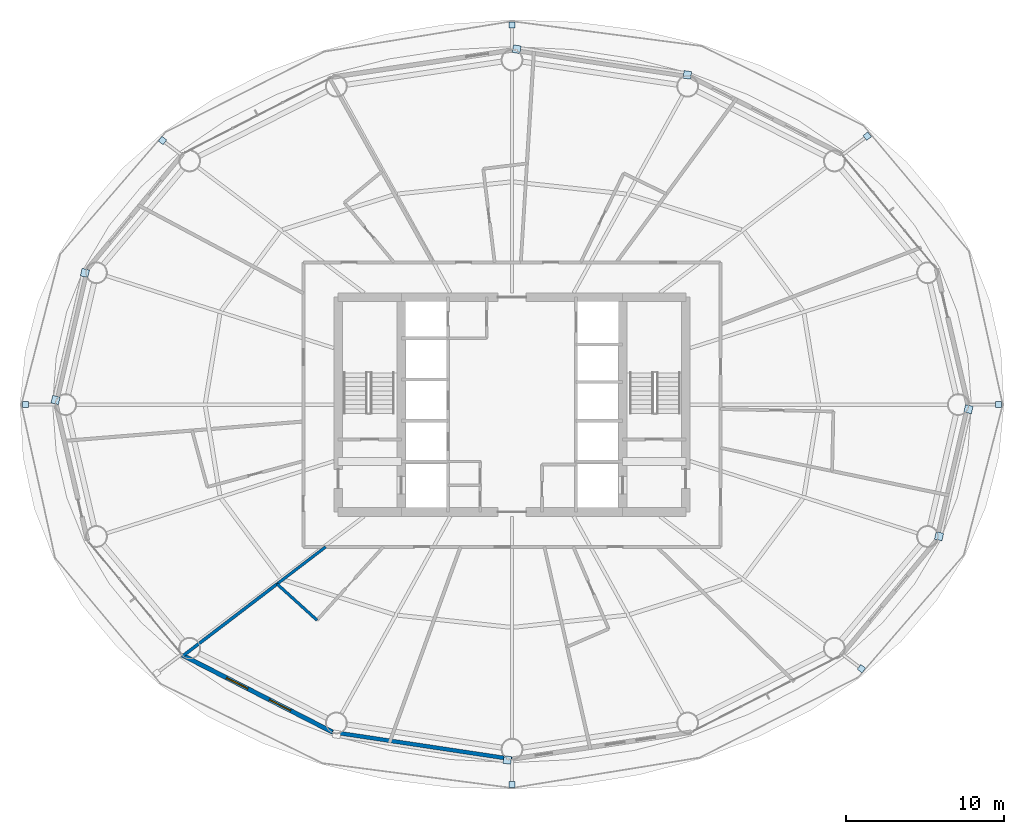
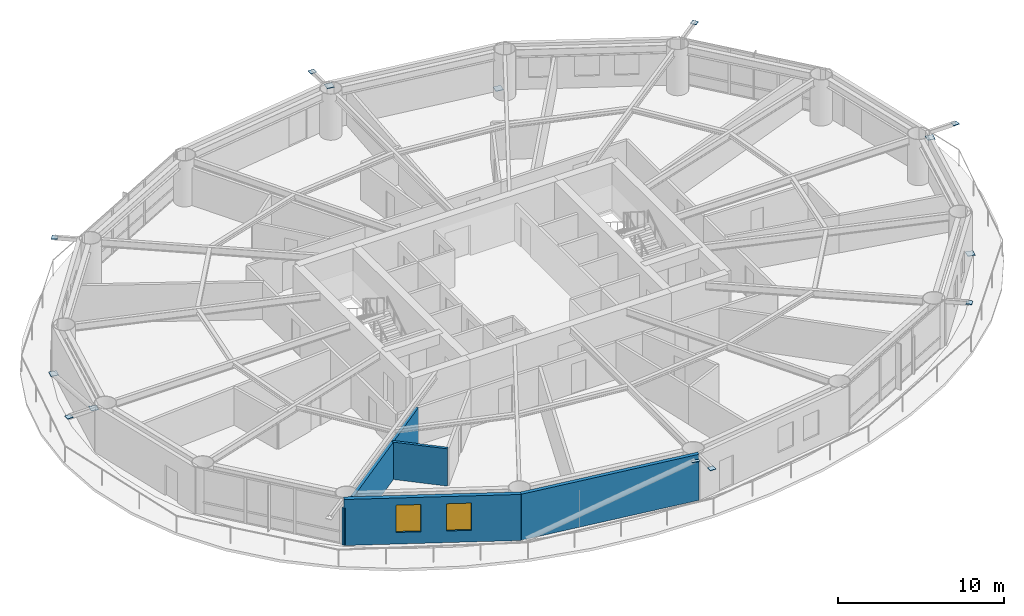
# One storey, part 17 of 24: 14 plates, 5 walls, 2 windows, 2 openings.
"""IFC4 building model written with IfcOpenShell, lengths in metres."""

from ifc_helpers import new_model, si_unit, direction, frame, frame_2d, origin, origin_2d, place, context, subcontext, project, spatial, rectangle, extrude, material, layer, layer_set, type_object, element, fill, save


model = new_model("IFC4")

# Units and contexts
model_context = context("Model", 3, precision=1e-05, world=origin(), true_north=direction((0.0, 1.0)))
body_context = subcontext(model_context, "Body", "Model", "MODEL_VIEW")
ifc_project = project(units=[si_unit("LENGTHUNIT", "METRE"), si_unit("AREAUNIT", "SQUARE_METRE"), si_unit("VOLUMEUNIT", "CUBIC_METRE"), si_unit("PLANEANGLEUNIT", "RADIAN"), si_unit("MASSUNIT", "GRAM", prefix="KILO")], contexts=[model_context])

# Site, building, storey
site_placement = place(None, origin())
site = spatial("IfcSite", under=ifc_project, at=site_placement, CompositionType="ELEMENT")
building_placement = place(site_placement, origin())
building = spatial("IfcBuilding", under=site, at=building_placement, Name="Sarneth Arch Tower", CompositionType="ELEMENT")
storey_placement = place(building_placement, frame((0.0, 0.0, 127.199951171875)))
storey = spatial("IfcBuildingStorey", under=building, at=storey_placement, Name="L32", CompositionType="ELEMENT", Elevation=127.199951171875)

# Plates
ifc_material_1 = material(Name="Steel S355", Category="steel")
ifc_layer_1 = layer(ifc_material_1, 0.035888671875)
ifc_layer_set_1 = layer_set([ifc_layer_1], Name="Steel S355")
plate_type = type_object("IfcPlateType", Name="PLT-GUSSET-30", PredefinedType="SHEET", material=ifc_layer_set_1)
for number, where, z_axis, x_axis, name in (
    (1, (78.765380859375, 42.0, 3.2021484375), (0.0, 0.0, 1.0), (1.0, 0.0, 0.0), "Steel end cap plate GP-1"),
    (2, (70.474365234375, 58.984375, 3.2021484375), (0.0, 0.0, 1.0), (0.797794439539, 0.602929541689, 0.0), "Steel end cap plate GP-1"),
):
    element("IfcPlate", number, at=place(storey_placement, frame(where, z_axis=z_axis, x_axis=x_axis)), inside=storey, type_object=plate_type, Name=name, PredefinedType="SHEET", context=body_context, shape_type="SweptSolid", body=[
        extrude(rectangle(XDim=0.3798828125, YDim=0.3798828125, at=origin_2d()), origin(), (0.0, 0.0, 1.0), 0.035888671875),
    ])
for number, where, z_axis, x_axis, name in (
    (3, (59.0927734375, 62.859619140625, 0.001953125), (0.0, 0.0, 1.0), (-0.988860535448, 0.148845024885, 0.0), "Steel end cap plate GP-1"),
    (4, (48.296630859375, 64.4853515625, 2.99560546875), (0.0, 0.0, 1.0), (-0.988860535448, 0.148845024885, 0.0), "Steel end cap plate GP-1"),
):
    element("IfcPlate", number, at=place(storey_placement, frame(where, z_axis=z_axis, x_axis=x_axis)), inside=storey, type_object=plate_type, Name=name, PredefinedType="SHEET", context=body_context, shape_type="SweptSolid", body=[
        extrude(rectangle(XDim=0.486083984375, YDim=0.486083984375, at=origin_2d()), origin(), (0.0, 0.0, 1.0), 0.035888671875),
    ])
for number, where, z_axis, x_axis, name in (
    (5, (48.0, 66.021240234375, 3.2021484375), (0.0, 0.0, 1.0), (0.0, 1.0, 0.0), "Steel end cap plate GP-1"),
    (6, (25.889404296875, 58.70947265625, 3.2021484375), (0.0, 0.0, 1.0), (-0.797794439539, 0.602929541689, 0.0), "Steel end cap plate GP-1"),
):
    element("IfcPlate", number, at=place(storey_placement, frame(where, z_axis=z_axis, x_axis=x_axis)), inside=storey, type_object=plate_type, Name=name, PredefinedType="SHEET", context=body_context, shape_type="SweptSolid", body=[
        extrude(rectangle(XDim=0.3798828125, YDim=0.3798828125, at=origin_2d()), origin(), (0.0, 0.0, 1.0), 0.035888671875),
    ])
for number, where, z_axis, x_axis, name in (
    (7, (20.98046875, 50.32958984375, 0.001953125), (0.0, 0.0, 1.0), (-0.225291159947, -0.974291482694, 0.0), "Steel end cap plate GP-1"),
    (8, (19.121337890625, 42.292236328125, 2.99560546875), (0.0, 0.0, 1.0), (-0.225291159947, -0.974291482694, 0.0), "Steel end cap plate GP-1"),
):
    element("IfcPlate", number, at=place(storey_placement, frame(where, z_axis=z_axis, x_axis=x_axis)), inside=storey, type_object=plate_type, Name=name, PredefinedType="SHEET", context=body_context, shape_type="SweptSolid", body=[
        extrude(rectangle(XDim=0.486083984375, YDim=0.486083984375, at=origin_2d()), origin(), (0.0, 0.0, 1.0), 0.035888671875),
    ])
plate_1_placement = place(storey_placement, frame((17.234619140625, 42.0, 3.2021484375), z_axis=(0.0, 0.0, 1.0), x_axis=(-1.0, 0.0, 0.0)))
element("IfcPlate", 9, at=plate_1_placement, inside=storey, type_object=plate_type, Name="Steel end cap plate GP-1", PredefinedType="SHEET", context=body_context, shape_type="SweptSolid", body=[
    extrude(rectangle(XDim=0.3798828125, YDim=0.3798828125, at=origin_2d()), origin(), (0.0, 0.0, 1.0), 0.035888671875),
])
plate_2_placement = place(storey_placement, frame((47.703369140625, 19.5146484375, 2.99560546875), z_axis=(0.0, 0.0, 1.0), x_axis=(0.988860535448, -0.148845024885, 0.0)))
element("IfcPlate", 10, at=plate_2_placement, inside=storey, type_object=plate_type, Name="Steel end cap plate GP-1", PredefinedType="SHEET", context=body_context, shape_type="SweptSolid", body=[
    extrude(rectangle(XDim=0.486083984375, YDim=0.486083984375, at=origin_2d()), origin(), (0.0, 0.0, 1.0), 0.035888671875),
])
for number, where, z_axis, x_axis, name in (
    (11, (48.0, 17.978759765625, 3.2021484375), (0.0, 0.0, 1.0), (0.0, -1.0, 0.0), "Steel end cap plate GP-1"),
    (12, (70.110595703125, 25.29052734375, 3.2021484375), (0.0, 0.0, 1.0), (0.797794439539, -0.602929541689, 0.0), "Steel end cap plate GP-1"),
):
    element("IfcPlate", number, at=place(storey_placement, frame(where, z_axis=z_axis, x_axis=x_axis)), inside=storey, type_object=plate_type, Name=name, PredefinedType="SHEET", context=body_context, shape_type="SweptSolid", body=[
        extrude(rectangle(XDim=0.3798828125, YDim=0.3798828125, at=origin_2d()), origin(), (0.0, 0.0, 1.0), 0.035888671875),
    ])
for number, where, z_axis, x_axis, name in (
    (13, (75.01953125, 33.67041015625, 0.001953125), (0.0, 0.0, 1.0), (0.225291159947, 0.974291482694, 0.0), "Steel end cap plate GP-1"),
    (14, (76.878662109375, 41.707763671875, 2.99560546875), (0.0, 0.0, 1.0), (0.225291159947, 0.974291482694, 0.0), "Steel end cap plate GP-1"),
):
    element("IfcPlate", number, at=place(storey_placement, frame(where, z_axis=z_axis, x_axis=x_axis)), inside=storey, type_object=plate_type, Name=name, PredefinedType="SHEET", context=body_context, shape_type="SweptSolid", body=[
        extrude(rectangle(XDim=0.486083984375, YDim=0.486083984375, at=origin_2d()), origin(), (0.0, 0.0, 1.0), 0.035888671875),
    ])

# Wall
ifc_material_2 = material(Name="Extruded terracotta rainscreen on Concrete C40/50 backing", Category="masonry")
ifc_layer_2 = layer(ifc_material_2, 0.25)
ifc_layer_set_2 = layer_set([ifc_layer_2], Name="Extruded terracotta rainscreen on Concrete C40/50 backing")
wall_type_1 = type_object("IfcWallType", Name="WALL-EXT-SPAND-250", PredefinedType="SOLIDWALL", material=ifc_layer_set_2)
wall_1_placement = place(storey_placement, frame((36.648681640625, 21.27734375, 0.0), z_axis=(0.0, 0.0, 1.0), x_axis=(0.988877774656, -0.148730450117, 0.0)))
element("IfcWall", 15, at=wall_1_placement, inside=storey, type_object=wall_type_1, Name="L32 Terracotta perimeter wall 12", PredefinedType="SOLIDWALL", context=body_context, shape_type="SweptSolid", body=[
    extrude(rectangle(XDim=11.47900390625, YDim=0.25, at=frame_2d((5.739501953125, 0.0))), origin(), (0.0, 0.0, 1.0), 3.380126953125),
])

# Wall, openings, windows
ifc_material_3 = material(Name="Extruded terracotta rainscreen on Concrete C40/50 backing", Category="masonry")
ifc_layer_3 = layer(ifc_material_3, 0.280029296875)
ifc_layer_set_3 = layer_set([ifc_layer_3], Name="Extruded terracotta rainscreen on Concrete C40/50 backing")
wall_type_2 = type_object("IfcWallType", Name="WALL-EXT-TERRA-280", PredefinedType="SOLIDWALL", material=ifc_layer_set_3)
wall_2_placement = place(storey_placement, frame((27.159912109375, 26.1396484375, 0.0), z_axis=(0.0, 0.0, 1.0), x_axis=(0.889959505023, -0.45603955905, 0.0)))
wall_2 = element("IfcWall", 16, at=wall_2_placement, inside=storey, type_object=wall_type_2, Name="L32 Terracotta perimeter wall 11", PredefinedType="SOLIDWALL", context=body_context, shape_type="SweptSolid", body=[
    extrude(rectangle(XDim=10.662109375, YDim=0.280029296875, at=frame_2d((5.3310546875, 0.0))), origin(), (0.0, 0.0, 1.0), 3.380126953125),
])
opening_1_placement = place(wall_2_placement, frame((3.130615234375, 0.0, 0.85009765625)))
opening_1 = element("IfcOpeningElement", 17, at=opening_1_placement, cuts=wall_2, Name="Opening W-06", PredefinedType="OPENING", context=body_context, shape_type="SweptSolid", body=[
    extrude(rectangle(XDim=1.5, YDim=2.0, at=frame_2d((0.75, 1.0))), frame((0.0, 0.14990234375, 0.0), z_axis=(0.0, -1.0, 0.0), x_axis=(1.0, 0.0, 0.0)), (0.0, 0.0, 1.0), 0.300048828125),
])
opening_2_placement = place(wall_2_placement, frame((6.1708984375, 0.0, 0.85009765625)))
opening_2 = element("IfcOpeningElement", 18, at=opening_2_placement, cuts=wall_2, Name="Opening W-06", PredefinedType="OPENING", context=body_context, shape_type="SweptSolid", body=[
    extrude(rectangle(XDim=1.5, YDim=2.0, at=frame_2d((0.75, 1.0))), frame((0.0, 0.14990234375, 0.0), z_axis=(0.0, -1.0, 0.0), x_axis=(1.0, 0.0, 0.0)), (0.0, 0.0, 1.0), 0.300048828125),
])
ifc_material_4 = material(Name="Thermally broken Aluminium 6063-T6 and low-e laminated IGU", Category="aluminium")
window_type = type_object("IfcWindowType", Name="WIN-TWR-1500x2000", PartitioningType="SINGLE_PANEL", PredefinedType="WINDOW", material=ifc_material_4)
window_1_placement = place(opening_1_placement, origin())
window_1 = element("IfcWindow", 19, at=window_1_placement, inside=storey, type_object=window_type, Name="L32 Exterior window 11A", OverallHeight=2.0, OverallWidth=1.5, PartitioningType="SINGLE_PANEL", PredefinedType="WINDOW", context=body_context, shape_type="SweptSolid", body=[
    extrude(rectangle(XDim=1.5, YDim=2.0, at=frame_2d((0.75, 1.0))), frame((0.0, 0.030029296875, 0.0), z_axis=(0.0, -1.0, 0.0), x_axis=(1.0, 0.0, 0.0)), (0.0, 0.0, 1.0), 0.06005859375),
])
fill(opening_1, window_1)
window_2_placement = place(opening_2_placement, origin())
window_2 = element("IfcWindow", 20, at=window_2_placement, inside=storey, type_object=window_type, Name="L32 Exterior window 11B", OverallHeight=2.0, OverallWidth=1.5, PartitioningType="SINGLE_PANEL", PredefinedType="WINDOW", context=body_context, shape_type="SweptSolid", body=[
    extrude(rectangle(XDim=1.5, YDim=2.0, at=frame_2d((0.75, 1.0))), frame((0.0, 0.030029296875, 0.0), z_axis=(0.0, -1.0, 0.0), x_axis=(1.0, 0.0, 0.0)), (0.0, 0.0, 1.0), 0.06005859375),
])
fill(opening_2, window_2)

# Walls
ifc_material_5 = material(Name="Moisture-resistant plumbing chase wall", Category="gypsum")
ifc_layer_4 = layer(ifc_material_5, 0.179931640625)
ifc_layer_set_4 = layer_set([ifc_layer_4], Name="Moisture-resistant plumbing chase wall")
wall_type_3 = type_object("IfcWallType", Name="WALL-PLUMB-180", PredefinedType="PLUMBINGWALL", material=ifc_layer_set_4)
wall_3_placement = place(storey_placement, frame((33.134521484375, 30.6494140625, 0.0), z_axis=(0.0, 0.0, 1.0), x_axis=(0.794788820215, 0.606886094141, 0.0)))
element("IfcWall", 21, at=wall_3_placement, inside=storey, type_object=wall_type_3, Name="L32 Interior partition W-L32-TP-042", PredefinedType="PLUMBINGWALL", context=body_context, shape_type="SweptSolid", body=[
    extrude(rectangle(XDim=3.873291015625, YDim=0.179931640625, at=frame_2d((1.9365234375, 0.0))), origin(), (0.0, 0.0, 1.0), 2.739990234375),
])
wall_4_placement = place(storey_placement, frame((35.662109375, 28.36279296875, 0.0), z_axis=(0.0, 0.0, 1.0), x_axis=(-0.741571413778, 0.670873936196, 0.0)))
element("IfcWall", 22, at=wall_4_placement, inside=storey, type_object=wall_type_3, Name="L32 Interior partition W-L32-TP-044", PredefinedType="PLUMBINGWALL", context=body_context, shape_type="SweptSolid", body=[
    extrude(rectangle(XDim=3.408447265625, YDim=0.179931640625, at=frame_2d((1.7041015625, 0.0))), origin(), (0.0, 0.0, 1.0), 2.739990234375),
])
ifc_material_6 = material(Name="Double steel-stud acoustic drywall", Category="steel")
ifc_layer_5 = layer(ifc_material_6, 0.199951171875)
ifc_layer_set_5 = layer_set([ifc_layer_5], Name="Double steel-stud acoustic drywall")
wall_type_4 = type_object("IfcWallType", Name="WALL-UNIT-200", PredefinedType="PARTITIONING", material=ifc_layer_set_5)
wall_5_placement = place(storey_placement, frame((27.10546875, 26.0458984375, 0.0), z_axis=(0.0, 0.0, 1.0), x_axis=(0.794798861724, 0.606872943376, 0.0)))
element("IfcWall", 23, at=wall_5_placement, inside=storey, type_object=wall_type_4, Name="L32 Interior partition W-L32-TP-041", PredefinedType="PARTITIONING", context=body_context, shape_type="SweptSolid", body=[
    extrude(rectangle(XDim=7.585693359375, YDim=0.199951171875, at=frame_2d((3.79296875, 0.0))), origin(), (0.0, 0.0, 1.0), 2.739990234375),
])

save(model, "model.ifc")
